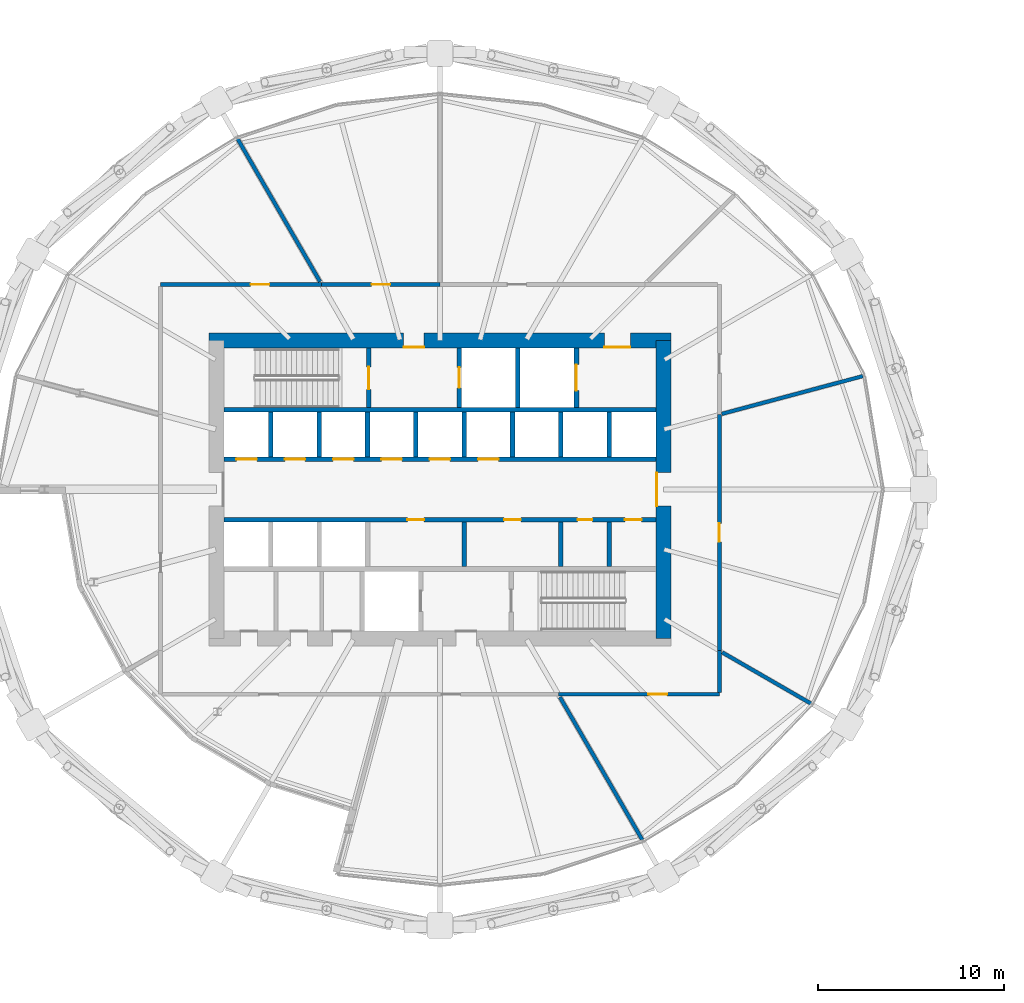
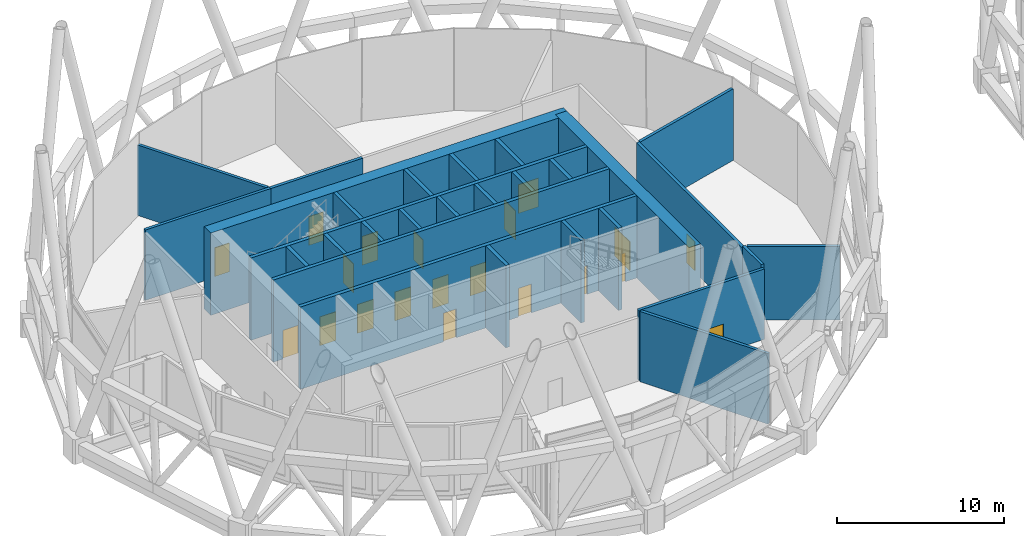
# One storey, part 27 of 33: 29 walls, 20 doors, 20 openings.
"""IFC4 building model written with IfcOpenShell, lengths in metres."""

from ifc_helpers import new_model, si_unit, direction, frame, frame_2d, origin, place, context, subcontext, project, spatial, rectangle, extrude, material, layer, layer_set, type_object, element, fill, save


model = new_model("IFC4")

# Units and contexts
model_context = context("Model", 3, precision=1e-05, world=origin(), true_north=direction((0.0, 1.0)))
body_context = subcontext(model_context, "Body", "Model", "MODEL_VIEW")
ifc_project = project(units=[si_unit("LENGTHUNIT", "METRE"), si_unit("AREAUNIT", "SQUARE_METRE"), si_unit("VOLUMEUNIT", "CUBIC_METRE"), si_unit("PLANEANGLEUNIT", "RADIAN"), si_unit("MASSUNIT", "GRAM", prefix="KILO")], contexts=[model_context])

# Site, building, storey
site_placement = place(None, origin())
site = spatial("IfcSite", under=ifc_project, at=site_placement, CompositionType="ELEMENT")
building_placement = place(site_placement, origin())
building = spatial("IfcBuilding", under=site, at=building_placement, Name="Rimbun Link Towers", CompositionType="ELEMENT")
storey_placement = place(building_placement, frame((0.0, 0.0, 75.60009765625)))
storey = spatial("IfcBuildingStorey", under=building, at=storey_placement, Name="L18", CompositionType="ELEMENT", Elevation=75.60009765625)

# Wall, openings, doors
ifc_material_1 = material(Name="Concrete C60/75", Category="concrete")
ifc_layer_1 = layer(ifc_material_1, 0.800048828125)
ifc_layer_set_1 = layer_set([ifc_layer_1], Name="Core shear wall 800")
wall_type_1 = type_object("IfcWallType", Name="Core shear wall 800", PredefinedType="SHEAR", material=ifc_layer_set_1)
wall_1_placement = place(storey_placement, frame((-44.14990234375, 8.0, 0.0), z_axis=(0.0, 0.0, 1.0), x_axis=(1.0, 0.0, 0.0)))
wall_1 = element("IfcWall", 1, at=wall_1_placement, inside=storey, type_object=wall_type_1, Name="L18 T1 core wall N", PredefinedType="SHEAR", context=body_context, shape_type="SweptSolid", body=[
    extrude(rectangle(XDim=24.7998046875, YDim=0.800048828125, at=frame_2d((12.39990234375, 0.0))), origin(), (0.0, 0.0, 1.0), 6.0),
])
opening_1_placement = place(wall_1_placement, frame((10.449951171875, 0.0, 0.0)))
opening_1 = element("IfcOpeningElement", 2, at=opening_1_placement, cuts=wall_1, Name="Opening C1DCF01N", PredefinedType="OPENING", context=body_context, shape_type="SweptSolid", body=[
    extrude(rectangle(XDim=1.10009765625, YDim=2.10009765625, at=frame_2d((0.550048828125, 1.050048828125))), frame((0.0, 0.409912109375, 0.0), z_axis=(0.0, -1.0, 0.0), x_axis=(1.0, 0.0, 0.0)), (0.0, 0.0, 1.0), 0.820068359375),
])
opening_2_placement = place(wall_1_placement, frame((21.22509765625, 0.0, 0.0)))
opening_2 = element("IfcOpeningElement", 3, at=opening_2_placement, cuts=wall_1, Name="Opening C1DSL02N", PredefinedType="OPENING", context=body_context, shape_type="SweptSolid", body=[
    extrude(rectangle(XDim=1.39990234375, YDim=2.10009765625, at=frame_2d((0.699951171875, 1.050048828125))), frame((0.0, 0.409912109375, 0.0), z_axis=(0.0, -1.0, 0.0), x_axis=(1.0, 0.0, 0.0)), (0.0, 0.0, 1.0), 0.820068359375),
])
ifc_material_2 = material(Name="Steel fire door set", Category="steel")
door_type_1 = type_object("IfcDoorType", Name="Core fire door single", OperationType="SINGLE_SWING_LEFT", PredefinedType="DOOR", material=ifc_material_2)
door_1_placement = place(opening_1_placement, origin())
door_1 = element("IfcDoor", 4, at=door_1_placement, inside=storey, type_object=door_type_1, Name="L18 T1 firefighting lobby n door", OperationType="SINGLE_SWING_LEFT", OverallHeight=2.10009765625, OverallWidth=1.10009765625, PredefinedType="DOOR", context=body_context, shape_type="SweptSolid", body=[
    extrude(rectangle(XDim=1.10009765625, YDim=2.10009765625, at=frame_2d((0.550048828125, 1.050048828125))), frame((0.0, -0.35009765625, 0.0), z_axis=(0.0, -1.0, 0.0), x_axis=(1.0, 0.0, 0.0)), (0.0, 0.0, 1.0), 0.050048828125),
])
fill(opening_1, door_1)
ifc_material_3 = material(Name="Steel fire door set", Category="steel")
door_type_2 = type_object("IfcDoorType", Name="Service lobby door double", OperationType="DOUBLE_DOOR_SINGLE_SWING", PredefinedType="DOOR", material=ifc_material_3)
door_2_placement = place(opening_2_placement, origin())
door_2 = element("IfcDoor", 5, at=door_2_placement, inside=storey, type_object=door_type_2, Name="L18 T1 service lobby door", OperationType="DOUBLE_DOOR_SINGLE_SWING", OverallHeight=2.10009765625, OverallWidth=1.39990234375, PredefinedType="DOOR", context=body_context, shape_type="SweptSolid", body=[
    extrude(rectangle(XDim=1.39990234375, YDim=2.10009765625, at=frame_2d((0.699951171875, 1.050048828125))), frame((0.0, -0.35009765625, 0.0), z_axis=(0.0, -1.0, 0.0), x_axis=(1.0, 0.0, 0.0)), (0.0, 0.0, 1.0), 0.050048828125),
])
fill(opening_2, door_2)

# Wall, opening, door
wall_2_placement = place(storey_placement, frame((-19.75, -8.0, 0.0), z_axis=(0.0, 0.0, 1.0), x_axis=(0.0, 1.0, 0.0)))
wall_2 = element("IfcWall", 6, at=wall_2_placement, inside=storey, type_object=wall_type_1, Name="L18 T1 core wall E", PredefinedType="SHEAR", context=body_context, shape_type="SweptSolid", body=[
    extrude(rectangle(XDim=16.0, YDim=0.800048828125, at=frame_2d((8.0, 0.0))), origin(), (0.0, 0.0, 1.0), 6.0),
])
opening_3_placement = place(wall_2_placement, frame((7.10009765625, 0.0, 0.0)))
opening_3 = element("IfcOpeningElement", 7, at=opening_3_placement, cuts=wall_2, Name="Opening C1DCL01E", PredefinedType="OPENING", context=body_context, shape_type="SweptSolid", body=[
    extrude(rectangle(XDim=1.800048828125, YDim=2.10009765625, at=frame_2d((0.89990234375, 1.050048828125))), frame((0.0, 0.409912109375, 0.0), z_axis=(0.0, -1.0, 0.0), x_axis=(1.0, 0.0, 0.0)), (0.0, 0.0, 1.0), 0.820068359375),
])
ifc_material_4 = material(Name="Steel fire door set", Category="steel")
door_type_3 = type_object("IfcDoorType", Name="Core lobby door double", OperationType="DOUBLE_DOOR_SINGLE_SWING", PredefinedType="DOOR", material=ifc_material_4)
door_3_placement = place(opening_3_placement, origin())
door_3 = element("IfcDoor", 8, at=door_3_placement, inside=storey, type_object=door_type_3, Name="L18 T1 lift lobby door", OperationType="DOUBLE_DOOR_SINGLE_SWING", OverallHeight=2.10009765625, OverallWidth=1.800048828125, PredefinedType="DOOR", context=body_context, shape_type="SweptSolid", body=[
    extrude(rectangle(XDim=1.800048828125, YDim=2.10009765625, at=frame_2d((0.89990234375, 1.050048828125))), frame((0.0, 0.39990234375, 0.0), z_axis=(0.0, -1.0, 0.0), x_axis=(1.0, 0.0, 0.0)), (0.0, 0.0, 1.0), 0.050048828125),
])
fill(opening_3, door_3)

ifc_material_5 = material(Name="Concrete blockwork", Category="masonry")
ifc_layer_2 = layer(ifc_material_5, 0.199951171875)
ifc_layer_set_2 = layer_set([ifc_layer_2], Name="Fire partition 200 blockwork")
wall_type_2 = type_object("IfcWallType", Name="Fire partition 200 blockwork", PredefinedType="PARTITIONING", material=ifc_layer_set_2)
wall_3_placement = place(storey_placement, frame((-25.399169921875, -11.0, 0.0), z_axis=(0.0, 0.0, 1.0), x_axis=(1.0, 0.0, 0.0)))
wall_3 = element("IfcWall", 9, at=wall_3_placement, inside=storey, type_object=wall_type_2, Name="TW/PW/L18/004", PredefinedType="PARTITIONING", context=body_context, shape_type="SweptSolid", body=[
    extrude(rectangle(XDim=8.649169921875, YDim=0.199951171875, at=frame_2d((4.32470703125, 0.0))), origin(), (0.0, 0.0, 1.0), 5.135986328125),
])
opening_4_placement = place(wall_3_placement, frame((4.8369140625, 0.0, 0.0)))
opening_4 = element("IfcOpeningElement", 10, at=opening_4_placement, cuts=wall_3, Name="Opening TW D18.03", PredefinedType="OPENING", context=body_context, shape_type="SweptSolid", body=[
    extrude(rectangle(XDim=1.0, YDim=2.10009765625, at=frame_2d((0.5, 1.050048828125))), frame((0.0, 0.10986328125, 0.0), z_axis=(0.0, -1.0, 0.0), x_axis=(1.0, 0.0, 0.0)), (0.0, 0.0, 1.0), 0.219970703125),
])
ifc_material_6 = material(Name="Steel fire door set", Category="steel")
door_type_4 = type_object("IfcDoorType", Name="Fire door single leaf 1000 x 2100", OperationType="NOTDEFINED", PredefinedType="DOOR", material=ifc_material_6)
door_4_placement = place(opening_4_placement, origin())
door_4 = element("IfcDoor", 11, at=door_4_placement, inside=storey, type_object=door_type_4, Name="TW/DR/L18/003", OperationType="SINGLE_SWING_RIGHT", OverallHeight=2.10009765625, OverallWidth=1.0, PredefinedType="DOOR", context=body_context, shape_type="SweptSolid", body=[
    extrude(rectangle(XDim=1.0, YDim=2.10009765625, at=frame_2d((0.5, 1.050048828125))), frame((0.0, 0.02490234375, 0.0), z_axis=(0.0, -1.0, 0.0), x_axis=(1.0, 0.0, 0.0)), (0.0, 0.0, 1.0), 0.050048828125),
])
fill(opening_4, door_4)

# Wall
wall_4_placement = place(storey_placement, frame((-16.75, -10.89990234375, 0.0), z_axis=(0.0, 0.0, 1.0), x_axis=(0.0, 1.0, 0.0)))
element("IfcWall", 12, at=wall_4_placement, inside=storey, type_object=wall_type_2, Name="TW/PW/L18/005", PredefinedType="PARTITIONING", context=body_context, shape_type="SweptSolid", body=[
    extrude(rectangle(XDim=2.239501953125, YDim=0.199951171875, at=frame_2d((1.11962890625, 0.0))), origin(), (0.0, 0.0, 1.0), 5.366943359375),
])

# Wall, opening, door
wall_5_placement = place(storey_placement, frame((-16.75, -8.660400390625, 0.0), z_axis=(0.0, 0.0, 1.0), x_axis=(0.0, 1.0, 0.0)))
wall_5 = element("IfcWall", 13, at=wall_5_placement, inside=storey, type_object=wall_type_2, Name="TW/PW/L18/006", PredefinedType="PARTITIONING", context=body_context, shape_type="SweptSolid", body=[
    extrude(rectangle(XDim=12.6796875, YDim=0.199951171875, at=frame_2d((6.33984375, 0.0))), origin(), (0.0, 0.0, 1.0), 5.216796875),
])
opening_5_placement = place(wall_5_placement, frame((5.840087890625, 0.0, 0.0)))
opening_5 = element("IfcOpeningElement", 14, at=opening_5_placement, cuts=wall_5, Name="Opening TW D18.04", PredefinedType="OPENING", context=body_context, shape_type="SweptSolid", body=[
    extrude(rectangle(XDim=1.0, YDim=2.10009765625, at=frame_2d((0.5, 1.050048828125))), frame((0.0, 0.10986328125, 0.0), z_axis=(0.0, -1.0, 0.0), x_axis=(1.0, 0.0, 0.0)), (0.0, 0.0, 1.0), 0.219970703125),
])
door_5_placement = place(opening_5_placement, origin())
door_5 = element("IfcDoor", 15, at=door_5_placement, inside=storey, type_object=door_type_4, Name="TW/DR/L18/004", OperationType="SINGLE_SWING_LEFT", OverallHeight=2.10009765625, OverallWidth=1.0, PredefinedType="DOOR", context=body_context, shape_type="SweptSolid", body=[
    extrude(rectangle(XDim=1.0, YDim=2.10009765625, at=frame_2d((0.5, 1.050048828125))), frame((0.0, 0.02490234375, 0.0), z_axis=(0.0, -1.0, 0.0), x_axis=(1.0, 0.0, 0.0)), (0.0, 0.0, 1.0), 0.050048828125),
])
fill(opening_5, door_5)

wall_6_placement = place(storey_placement, frame((-31.75, 11.0, 0.0), z_axis=(0.0, 0.0, 1.0), x_axis=(-1.0, 0.0, 0.0)))
wall_6 = element("IfcWall", 16, at=wall_6_placement, inside=storey, type_object=wall_type_2, Name="TW/PW/L18/010", PredefinedType="PARTITIONING", context=body_context, shape_type="SweptSolid", body=[
    extrude(rectangle(XDim=6.350830078125, YDim=0.199951171875, at=frame_2d((3.17529296875, 0.0))), origin(), (0.0, 0.0, 1.0), 5.135986328125),
])
opening_6_placement = place(wall_6_placement, frame((2.675048828125, 0.0, 0.0)))
opening_6 = element("IfcOpeningElement", 17, at=opening_6_placement, cuts=wall_6, Name="Opening TW D18.07", PredefinedType="OPENING", context=body_context, shape_type="SweptSolid", body=[
    extrude(rectangle(XDim=1.0, YDim=2.10009765625, at=frame_2d((0.5, 1.050048828125))), frame((0.0, 0.10986328125, 0.0), z_axis=(0.0, -1.0, 0.0), x_axis=(1.0, 0.0, 0.0)), (0.0, 0.0, 1.0), 0.219970703125),
])
door_6_placement = place(opening_6_placement, origin())
door_6 = element("IfcDoor", 18, at=door_6_placement, inside=storey, type_object=door_type_4, Name="TW/DR/L18/007", OperationType="SINGLE_SWING_RIGHT", OverallHeight=2.10009765625, OverallWidth=1.0, PredefinedType="DOOR", context=body_context, shape_type="SweptSolid", body=[
    extrude(rectangle(XDim=1.0, YDim=2.10009765625, at=frame_2d((0.5, 1.050048828125))), frame((0.0, 0.02490234375, 0.0), z_axis=(0.0, -1.0, 0.0), x_axis=(1.0, 0.0, 0.0)), (0.0, 0.0, 1.0), 0.050048828125),
])
fill(opening_6, door_6)

wall_7_placement = place(storey_placement, frame((-38.100830078125, 11.0, 0.0), z_axis=(0.0, 0.0, 1.0), x_axis=(-1.0, 0.0, 0.0)))
wall_7 = element("IfcWall", 19, at=wall_7_placement, inside=storey, type_object=wall_type_2, Name="TW/PW/L18/011", PredefinedType="PARTITIONING", context=body_context, shape_type="SweptSolid", body=[
    extrude(rectangle(XDim=8.649169921875, YDim=0.199951171875, at=frame_2d((4.32470703125, 0.0))), origin(), (0.0, 0.0, 1.0), 5.135986328125),
])
opening_7_placement = place(wall_7_placement, frame((2.81201171875, 0.0, 0.0)))
opening_7 = element("IfcOpeningElement", 20, at=opening_7_placement, cuts=wall_7, Name="Opening TW D18.08", PredefinedType="OPENING", context=body_context, shape_type="SweptSolid", body=[
    extrude(rectangle(XDim=1.0, YDim=2.10009765625, at=frame_2d((0.5, 1.050048828125))), frame((0.0, 0.10986328125, 0.0), z_axis=(0.0, -1.0, 0.0), x_axis=(1.0, 0.0, 0.0)), (0.0, 0.0, 1.0), 0.219970703125),
])
door_7_placement = place(opening_7_placement, origin())
door_7 = element("IfcDoor", 21, at=door_7_placement, inside=storey, type_object=door_type_4, Name="TW/DR/L18/008", OperationType="SINGLE_SWING_LEFT", OverallHeight=2.10009765625, OverallWidth=1.0, PredefinedType="DOOR", context=body_context, shape_type="SweptSolid", body=[
    extrude(rectangle(XDim=1.0, YDim=2.10009765625, at=frame_2d((0.5, 1.050048828125))), frame((0.0, 0.02490234375, 0.0), z_axis=(0.0, -1.0, 0.0), x_axis=(1.0, 0.0, 0.0)), (0.0, 0.0, 1.0), 0.050048828125),
])
fill(opening_7, door_7)

# Walls
wall_8_placement = place(storey_placement, frame((-20.88818359375, -18.8134765625, 0.0), z_axis=(0.0, 0.0, 1.0), x_axis=(-0.49997879138, 0.866037648241, 0.0)))
element("IfcWall", 22, at=wall_8_placement, inside=storey, type_object=wall_type_2, Name="TW/PW/L18/016", PredefinedType="PARTITIONING", context=body_context, shape_type="SweptSolid", body=[
    extrude(rectangle(XDim=8.84912109375, YDim=0.199951171875, at=frame_2d((4.424560546875, 0.0))), origin(), (0.0, 0.0, 1.0), 5.135986328125),
])
wall_9_placement = place(storey_placement, frame((-11.77392578125, -11.533203125, 0.0), z_axis=(0.0, 0.0, 1.0), x_axis=(-0.866026544289, 0.499998024584, 0.0)))
element("IfcWall", 23, at=wall_9_placement, inside=storey, type_object=wall_type_2, Name="TW/PW/L18/017", PredefinedType="PARTITIONING", context=body_context, shape_type="SweptSolid", body=[
    extrude(rectangle(XDim=5.57275390625, YDim=0.199951171875, at=frame_2d((2.786376953125, 0.0))), origin(), (0.0, 0.0, 1.0), 5.366943359375),
])
wall_10_placement = place(storey_placement, frame((-9.04443359375, 6.083984375, 0.0), z_axis=(0.0, 0.0, 1.0), x_axis=(-0.965923886607, -0.258826283988, 0.0)))
element("IfcWall", 24, at=wall_10_placement, inside=storey, type_object=wall_type_2, Name="TW/PW/L18/018", PredefinedType="PARTITIONING", context=body_context, shape_type="SweptSolid", body=[
    extrude(rectangle(XDim=7.846923828125, YDim=0.199951171875, at=frame_2d((3.92333984375, 0.0))), origin(), (0.0, 0.0, 1.0), 5.216796875),
])
wall_11_placement = place(storey_placement, frame((-42.65185546875, 18.8828125, 0.0), z_axis=(0.0, 0.0, 1.0), x_axis=(0.499979648516, -0.866037153401, 0.0)))
element("IfcWall", 25, at=wall_11_placement, inside=storey, type_object=wall_type_2, Name="TW/PW/L18/021", PredefinedType="PARTITIONING", context=body_context, shape_type="SweptSolid", body=[
    extrude(rectangle(XDim=8.928955078125, YDim=0.199951171875, at=frame_2d((4.46435546875, 0.0))), origin(), (0.0, 0.0, 1.0), 5.135986328125),
])
ifc_material_7 = material(Name="Concrete C60/75", Category="concrete")
ifc_layer_3 = layer(ifc_material_7, 0.25)
ifc_layer_set_3 = layer_set([ifc_layer_3], Name="Shaft wall 250")
wall_type_3 = type_object("IfcWallType", Name="Shaft wall 250", PredefinedType="SHEAR", material=ifc_layer_set_3)
wall_12_placement = place(storey_placement, frame((-43.35009765625, 4.27490234375, 0.0), z_axis=(0.0, 0.0, 1.0), x_axis=(1.0, 0.0, 0.0)))
element("IfcWall", 26, at=wall_12_placement, inside=storey, type_object=wall_type_3, Name="L18 T1 core wall BN", PredefinedType="SHEAR", context=body_context, shape_type="SweptSolid", body=[
    extrude(rectangle(XDim=23.2001953125, YDim=0.25, at=frame_2d((11.60009765625, 0.0))), origin(), (0.0, 0.0, 1.0), 6.0),
])

# Wall, openings, doors
wall_13_placement = place(storey_placement, frame((-43.35009765625, 1.625, 0.0), z_axis=(0.0, 0.0, 1.0), x_axis=(1.0, 0.0, 0.0)))
wall_13 = element("IfcWall", 27, at=wall_13_placement, inside=storey, type_object=wall_type_3, Name="L18 T1 core wall FN", PredefinedType="SHEAR", context=body_context, shape_type="SweptSolid", body=[
    extrude(rectangle(XDim=23.2001953125, YDim=0.25, at=frame_2d((11.60009765625, 0.0))), origin(), (0.0, 0.0, 1.0), 6.0),
])
opening_8_placement = place(wall_13_placement, frame((0.672119140625, 0.0, 0.0)))
opening_8 = element("IfcOpeningElement", 28, at=opening_8_placement, cuts=wall_13, Name="Opening LD-T1-LR1", PredefinedType="OPENING", context=body_context, shape_type="SweptSolid", body=[
    extrude(rectangle(XDim=1.10009765625, YDim=2.10009765625, at=frame_2d((0.550048828125, 1.050048828125))), frame((0.0, 0.135009765625, 0.0), z_axis=(0.0, -1.0, 0.0), x_axis=(1.0, 0.0, 0.0)), (0.0, 0.0, 1.0), 0.27001953125),
])
opening_9_placement = place(wall_13_placement, frame((3.2666015625, 0.0, 0.0)))
opening_9 = element("IfcOpeningElement", 29, at=opening_9_placement, cuts=wall_13, Name="Opening LD-T1-LR2", PredefinedType="OPENING", context=body_context, shape_type="SweptSolid", body=[
    extrude(rectangle(XDim=1.10009765625, YDim=2.10009765625, at=frame_2d((0.550048828125, 1.050048828125))), frame((0.0, 0.135009765625, 0.0), z_axis=(0.0, -1.0, 0.0), x_axis=(1.0, 0.0, 0.0)), (0.0, 0.0, 1.0), 0.27001953125),
])
opening_10_placement = place(wall_13_placement, frame((5.861083984375, 0.0, 0.0)))
opening_10 = element("IfcOpeningElement", 30, at=opening_10_placement, cuts=wall_13, Name="Opening LD-T1-LR3", PredefinedType="OPENING", context=body_context, shape_type="SweptSolid", body=[
    extrude(rectangle(XDim=1.10009765625, YDim=2.10009765625, at=frame_2d((0.550048828125, 1.050048828125))), frame((0.0, 0.135009765625, 0.0), z_axis=(0.0, -1.0, 0.0), x_axis=(1.0, 0.0, 0.0)), (0.0, 0.0, 1.0), 0.27001953125),
])
opening_11_placement = place(wall_13_placement, frame((8.45556640625, 0.0, 0.0)))
opening_11 = element("IfcOpeningElement", 31, at=opening_11_placement, cuts=wall_13, Name="Opening LD-T1-LR4", PredefinedType="OPENING", context=body_context, shape_type="SweptSolid", body=[
    extrude(rectangle(XDim=1.10009765625, YDim=2.10009765625, at=frame_2d((0.550048828125, 1.050048828125))), frame((0.0, 0.135009765625, 0.0), z_axis=(0.0, -1.0, 0.0), x_axis=(1.0, 0.0, 0.0)), (0.0, 0.0, 1.0), 0.27001953125),
])
opening_12_placement = place(wall_13_placement, frame((11.050048828125, 0.0, 0.0)))
opening_12 = element("IfcOpeningElement", 32, at=opening_12_placement, cuts=wall_13, Name="Opening LD-T1-LR5", PredefinedType="OPENING", context=body_context, shape_type="SweptSolid", body=[
    extrude(rectangle(XDim=1.10009765625, YDim=2.10009765625, at=frame_2d((0.550048828125, 1.050048828125))), frame((0.0, 0.135009765625, 0.0), z_axis=(0.0, -1.0, 0.0), x_axis=(1.0, 0.0, 0.0)), (0.0, 0.0, 1.0), 0.27001953125),
])
opening_13_placement = place(wall_13_placement, frame((13.644287109375, 0.0, 0.0)))
opening_13 = element("IfcOpeningElement", 33, at=opening_13_placement, cuts=wall_13, Name="Opening LD-T1-LR6", PredefinedType="OPENING", context=body_context, shape_type="SweptSolid", body=[
    extrude(rectangle(XDim=1.10009765625, YDim=2.10009765625, at=frame_2d((0.550048828125, 1.050048828125))), frame((0.0, 0.135009765625, 0.0), z_axis=(0.0, -1.0, 0.0), x_axis=(1.0, 0.0, 0.0)), (0.0, 0.0, 1.0), 0.27001953125),
])
ifc_material_8 = material(Name="Stainless steel grade 316", Category="steel")
door_type_5 = type_object("IfcDoorType", Name="Lift landing door", OperationType="DOUBLE_DOOR_SLIDING", PredefinedType="DOOR", material=ifc_material_8)
door_8_placement = place(opening_8_placement, origin())
door_8 = element("IfcDoor", 34, at=door_8_placement, inside=storey, type_object=door_type_5, Name="L18 T1 lift LR1 landing door", OperationType="DOUBLE_DOOR_SLIDING", OverallHeight=2.10009765625, OverallWidth=1.10009765625, PredefinedType="DOOR", context=body_context, shape_type="SweptSolid", body=[
    extrude(rectangle(XDim=1.10009765625, YDim=2.10009765625, at=frame_2d((0.550048828125, 1.050048828125))), frame((0.0, 0.02490234375, 0.0), z_axis=(0.0, -1.0, 0.0), x_axis=(1.0, 0.0, 0.0)), (0.0, 0.0, 1.0), 0.050048828125),
])
fill(opening_8, door_8)
door_9_placement = place(opening_9_placement, origin())
door_9 = element("IfcDoor", 35, at=door_9_placement, inside=storey, type_object=door_type_5, Name="L18 T1 lift LR2 landing door", OperationType="DOUBLE_DOOR_SLIDING", OverallHeight=2.10009765625, OverallWidth=1.10009765625, PredefinedType="DOOR", context=body_context, shape_type="SweptSolid", body=[
    extrude(rectangle(XDim=1.10009765625, YDim=2.10009765625, at=frame_2d((0.550048828125, 1.050048828125))), frame((0.0, 0.02490234375, 0.0), z_axis=(0.0, -1.0, 0.0), x_axis=(1.0, 0.0, 0.0)), (0.0, 0.0, 1.0), 0.050048828125),
])
fill(opening_9, door_9)
door_10_placement = place(opening_10_placement, origin())
door_10 = element("IfcDoor", 36, at=door_10_placement, inside=storey, type_object=door_type_5, Name="L18 T1 lift LR3 landing door", OperationType="DOUBLE_DOOR_SLIDING", OverallHeight=2.10009765625, OverallWidth=1.10009765625, PredefinedType="DOOR", context=body_context, shape_type="SweptSolid", body=[
    extrude(rectangle(XDim=1.10009765625, YDim=2.10009765625, at=frame_2d((0.550048828125, 1.050048828125))), frame((0.0, 0.02490234375, 0.0), z_axis=(0.0, -1.0, 0.0), x_axis=(1.0, 0.0, 0.0)), (0.0, 0.0, 1.0), 0.050048828125),
])
fill(opening_10, door_10)
door_11_placement = place(opening_11_placement, origin())
door_11 = element("IfcDoor", 37, at=door_11_placement, inside=storey, type_object=door_type_5, Name="L18 T1 lift LR4 landing door", OperationType="DOUBLE_DOOR_SLIDING", OverallHeight=2.10009765625, OverallWidth=1.10009765625, PredefinedType="DOOR", context=body_context, shape_type="SweptSolid", body=[
    extrude(rectangle(XDim=1.10009765625, YDim=2.10009765625, at=frame_2d((0.550048828125, 1.050048828125))), frame((0.0, 0.02490234375, 0.0), z_axis=(0.0, -1.0, 0.0), x_axis=(1.0, 0.0, 0.0)), (0.0, 0.0, 1.0), 0.050048828125),
])
fill(opening_11, door_11)
door_12_placement = place(opening_12_placement, origin())
door_12 = element("IfcDoor", 38, at=door_12_placement, inside=storey, type_object=door_type_5, Name="L18 T1 lift LR5 landing door", OperationType="DOUBLE_DOOR_SLIDING", OverallHeight=2.10009765625, OverallWidth=1.10009765625, PredefinedType="DOOR", context=body_context, shape_type="SweptSolid", body=[
    extrude(rectangle(XDim=1.10009765625, YDim=2.10009765625, at=frame_2d((0.550048828125, 1.050048828125))), frame((0.0, 0.02490234375, 0.0), z_axis=(0.0, -1.0, 0.0), x_axis=(1.0, 0.0, 0.0)), (0.0, 0.0, 1.0), 0.050048828125),
])
fill(opening_12, door_12)
door_13_placement = place(opening_13_placement, origin())
door_13 = element("IfcDoor", 39, at=door_13_placement, inside=storey, type_object=door_type_5, Name="L18 T1 lift LR6 landing door", OperationType="DOUBLE_DOOR_SLIDING", OverallHeight=2.10009765625, OverallWidth=1.10009765625, PredefinedType="DOOR", context=body_context, shape_type="SweptSolid", body=[
    extrude(rectangle(XDim=1.10009765625, YDim=2.10009765625, at=frame_2d((0.550048828125, 1.050048828125))), frame((0.0, 0.02490234375, 0.0), z_axis=(0.0, -1.0, 0.0), x_axis=(1.0, 0.0, 0.0)), (0.0, 0.0, 1.0), 0.050048828125),
])
fill(opening_13, door_13)

wall_14_placement = place(storey_placement, frame((-43.35009765625, -1.625, 0.0), z_axis=(0.0, 0.0, 1.0), x_axis=(1.0, 0.0, 0.0)))
wall_14 = element("IfcWall", 40, at=wall_14_placement, inside=storey, type_object=wall_type_3, Name="L18 T1 core wall FS", PredefinedType="SHEAR", context=body_context, shape_type="SweptSolid", body=[
    extrude(rectangle(XDim=23.2001953125, YDim=0.25, at=frame_2d((11.60009765625, 0.0))), origin(), (0.0, 0.0, 1.0), 6.0),
])
opening_14_placement = place(wall_14_placement, frame((9.852783203125, 0.0, 0.0)))
opening_14 = element("IfcOpeningElement", 41, at=opening_14_placement, cuts=wall_14, Name="Opening C1DRS01FS", PredefinedType="OPENING", context=body_context, shape_type="SweptSolid", body=[
    extrude(rectangle(XDim=0.89990234375, YDim=2.10009765625, at=frame_2d((0.449951171875, 1.050048828125))), frame((0.0, 0.135009765625, 0.0), z_axis=(0.0, -1.0, 0.0), x_axis=(1.0, 0.0, 0.0)), (0.0, 0.0, 1.0), 0.27001953125),
])
opening_15_placement = place(wall_14_placement, frame((15.041748046875, 0.0, 0.0)))
opening_15 = element("IfcOpeningElement", 42, at=opening_15_placement, cuts=wall_14, Name="Opening C1DRS02FS", PredefinedType="OPENING", context=body_context, shape_type="SweptSolid", body=[
    extrude(rectangle(XDim=0.89990234375, YDim=2.10009765625, at=frame_2d((0.449951171875, 1.050048828125))), frame((0.0, 0.135009765625, 0.0), z_axis=(0.0, -1.0, 0.0), x_axis=(1.0, 0.0, 0.0)), (0.0, 0.0, 1.0), 0.27001953125),
])
opening_16_placement = place(wall_14_placement, frame((18.9833984375, 0.0, 0.0)))
opening_16 = element("IfcOpeningElement", 43, at=opening_16_placement, cuts=wall_14, Name="Opening C1DRA03FS", PredefinedType="OPENING", context=body_context, shape_type="SweptSolid", body=[
    extrude(rectangle(XDim=0.800048828125, YDim=2.10009765625, at=frame_2d((0.39990234375, 1.050048828125))), frame((0.0, 0.135009765625, 0.0), z_axis=(0.0, -1.0, 0.0), x_axis=(1.0, 0.0, 0.0)), (0.0, 0.0, 1.0), 0.27001953125),
])
opening_17_placement = place(wall_14_placement, frame((21.52783203125, 0.0, 0.0)))
opening_17 = element("IfcOpeningElement", 44, at=opening_17_placement, cuts=wall_14, Name="Opening C1DRS04FS", PredefinedType="OPENING", context=body_context, shape_type="SweptSolid", body=[
    extrude(rectangle(XDim=0.89990234375, YDim=2.10009765625, at=frame_2d((0.449951171875, 1.050048828125))), frame((0.0, 0.135009765625, 0.0), z_axis=(0.0, -1.0, 0.0), x_axis=(1.0, 0.0, 0.0)), (0.0, 0.0, 1.0), 0.27001953125),
])
ifc_material_9 = material(Name="Steel fire door set", Category="steel")
door_type_6 = type_object("IfcDoorType", Name="Core riser door", OperationType="SINGLE_SWING_LEFT", PredefinedType="DOOR", material=ifc_material_9)
door_14_placement = place(opening_14_placement, origin())
door_14 = element("IfcDoor", 45, at=door_14_placement, inside=storey, type_object=door_type_6, Name="L18 T1 archive store door", OperationType="SINGLE_SWING_LEFT", OverallHeight=2.10009765625, OverallWidth=0.89990234375, PredefinedType="DOOR", context=body_context, shape_type="SweptSolid", body=[
    extrude(rectangle(XDim=0.89990234375, YDim=2.10009765625, at=frame_2d((0.449951171875, 1.050048828125))), frame((0.0, 0.02490234375, 0.0), z_axis=(0.0, -1.0, 0.0), x_axis=(1.0, 0.0, 0.0)), (0.0, 0.0, 1.0), 0.050048828125),
])
fill(opening_14, door_14)
door_15_placement = place(opening_15_placement, origin())
door_15 = element("IfcDoor", 46, at=door_15_placement, inside=storey, type_object=door_type_6, Name="L18 T1 pantry door", OperationType="SINGLE_SWING_LEFT", OverallHeight=2.10009765625, OverallWidth=0.89990234375, PredefinedType="DOOR", context=body_context, shape_type="SweptSolid", body=[
    extrude(rectangle(XDim=0.89990234375, YDim=2.10009765625, at=frame_2d((0.449951171875, 1.050048828125))), frame((0.0, 0.02490234375, 0.0), z_axis=(0.0, -1.0, 0.0), x_axis=(1.0, 0.0, 0.0)), (0.0, 0.0, 1.0), 0.050048828125),
])
fill(opening_15, door_15)
door_16_placement = place(opening_17_placement, origin())
door_16 = element("IfcDoor", 47, at=door_16_placement, inside=storey, type_object=door_type_6, Name="L18 T1 staff store door", OperationType="SINGLE_SWING_RIGHT", OverallHeight=2.10009765625, OverallWidth=0.89990234375, PredefinedType="DOOR", context=body_context, shape_type="SweptSolid", body=[
    extrude(rectangle(XDim=0.89990234375, YDim=2.10009765625, at=frame_2d((0.449951171875, 1.050048828125))), frame((0.0, 0.02490234375, 0.0), z_axis=(0.0, -1.0, 0.0), x_axis=(1.0, 0.0, 0.0)), (0.0, 0.0, 1.0), 0.050048828125),
])
fill(opening_17, door_16)
ifc_material_10 = material(Name="Steel fire door set", Category="steel")
door_type_7 = type_object("IfcDoorType", Name="Riser access door 800 x 2100", OperationType="SINGLE_SWING_LEFT", PredefinedType="DOOR", material=ifc_material_10)
door_17_placement = place(opening_16_placement, origin())
door_17 = element("IfcDoor", 48, at=door_17_placement, inside=storey, type_object=door_type_7, Name="L18 T1 riser cupboard door", OperationType="SINGLE_SWING_LEFT", OverallHeight=2.10009765625, OverallWidth=0.800048828125, PredefinedType="DOOR", context=body_context, shape_type="SweptSolid", body=[
    extrude(rectangle(XDim=0.800048828125, YDim=2.10009765625, at=frame_2d((0.39990234375, 1.050048828125))), frame((0.0, 0.02490234375, 0.0), z_axis=(0.0, -1.0, 0.0), x_axis=(1.0, 0.0, 0.0)), (0.0, 0.0, 1.0), 0.050048828125),
])
fill(opening_16, door_17)

# Walls
for number, where, z_axis, x_axis, name in (
    (49, (-40.83056640625, 1.75, 0.0), (0.0, 0.0, 1.0), (0.0, 1.0, 0.0), "L18 T1 core wall DN0"),
    (50, (-38.236083984375, 1.75, 0.0), (0.0, 0.0, 1.0), (0.0, 1.0, 0.0), "L18 T1 core wall DN1"),
    (51, (-35.6416015625, 1.75, 0.0), (0.0, 0.0, 1.0), (0.0, 1.0, 0.0), "L18 T1 core wall DN2"),
    (52, (-33.047119140625, 1.75, 0.0), (0.0, 0.0, 1.0), (0.0, 1.0, 0.0), "L18 T1 core wall DN3"),
    (53, (-30.452880859375, 1.75, 0.0), (0.0, 0.0, 1.0), (0.0, 1.0, 0.0), "L18 T1 core wall DN4"),
    (54, (-27.8583984375, 1.75, 0.0), (0.0, 0.0, 1.0), (0.0, 1.0, 0.0), "L18 T1 core wall DN5"),
    (55, (-25.263916015625, 1.75, 0.0), (0.0, 0.0, 1.0), (0.0, 1.0, 0.0), "L18 T1 core wall DN6"),
    (56, (-22.66943359375, 1.75, 0.0), (0.0, 0.0, 1.0), (0.0, 1.0, 0.0), "L18 T1 core wall DN7"),
    (57, (-30.452880859375, -4.14990234375, 0.0), (0.0, 0.0, 1.0), (0.0, 1.0, 0.0), "L18 T1 core wall DS4"),
    (58, (-25.263916015625, -4.14990234375, 0.0), (0.0, 0.0, 1.0), (0.0, 1.0, 0.0), "L18 T1 core wall DS6"),
    (59, (-22.66943359375, -4.14990234375, 0.0), (0.0, 0.0, 1.0), (0.0, 1.0, 0.0), "L18 T1 core wall DS7"),
):
    element("IfcWall", number, at=place(storey_placement, frame(where, z_axis=z_axis, x_axis=x_axis)), inside=storey, type_object=wall_type_3, Name=name, PredefinedType="SHEAR", context=body_context, shape_type="SweptSolid", body=[
        extrude(rectangle(XDim=2.39990234375, YDim=0.25, at=frame_2d((1.199951171875, 0.0))), origin(), (0.0, 0.0, 1.0), 6.0),
    ])

# Wall, opening, door
wall_15_placement = place(storey_placement, frame((-35.574951171875, 4.39990234375, 0.0), z_axis=(0.0, 0.0, 1.0), x_axis=(0.0, 1.0, 0.0)))
wall_15 = element("IfcWall", 60, at=wall_15_placement, inside=storey, type_object=wall_type_3, Name="L18 T1 core wall A1", PredefinedType="SHEAR", context=body_context, shape_type="SweptSolid", body=[
    extrude(rectangle(XDim=3.2001953125, YDim=0.25, at=frame_2d((1.60009765625, 0.0))), origin(), (0.0, 0.0, 1.0), 6.0),
])
opening_18_placement = place(wall_15_placement, frame((0.97509765625, 0.0, 0.0)))
opening_18 = element("IfcOpeningElement", 61, at=opening_18_placement, cuts=wall_15, Name="Opening C1DST01A1", PredefinedType="OPENING", context=body_context, shape_type="SweptSolid", body=[
    extrude(rectangle(XDim=1.199951171875, YDim=2.10009765625, at=frame_2d((0.60009765625, 1.050048828125))), frame((0.0, 0.135009765625, 0.0), z_axis=(0.0, -1.0, 0.0), x_axis=(1.0, 0.0, 0.0)), (0.0, 0.0, 1.0), 0.27001953125),
])
ifc_material_11 = material(Name="Steel fire door set", Category="steel")
door_type_8 = type_object("IfcDoorType", Name="Stair door", OperationType="SINGLE_SWING_LEFT", PredefinedType="DOOR", material=ifc_material_11)
door_18_placement = place(opening_18_placement, origin())
door_18 = element("IfcDoor", 62, at=door_18_placement, inside=storey, type_object=door_type_8, Name="L18 T1 stair a door", OperationType="SINGLE_SWING_RIGHT", OverallHeight=2.10009765625, OverallWidth=1.199951171875, PredefinedType="DOOR", context=body_context, shape_type="SweptSolid", body=[
    extrude(rectangle(XDim=1.199951171875, YDim=2.10009765625, at=frame_2d((0.60009765625, 1.050048828125))), frame((0.0, 0.02490234375, 0.0), z_axis=(0.0, -1.0, 0.0), x_axis=(1.0, 0.0, 0.0)), (0.0, 0.0, 1.0), 0.050048828125),
])
fill(opening_18, door_18)

wall_16_placement = place(storey_placement, frame((-30.72509765625, 4.39990234375, 0.0), z_axis=(0.0, 0.0, 1.0), x_axis=(0.0, 1.0, 0.0)))
wall_16 = element("IfcWall", 63, at=wall_16_placement, inside=storey, type_object=wall_type_3, Name="L18 T1 core wall A2", PredefinedType="SHEAR", context=body_context, shape_type="SweptSolid", body=[
    extrude(rectangle(XDim=3.2001953125, YDim=0.25, at=frame_2d((1.60009765625, 0.0))), origin(), (0.0, 0.0, 1.0), 6.0),
])
opening_19_placement = place(wall_16_placement, frame((1.050048828125, 0.0, 0.0)))
opening_19 = element("IfcOpeningElement", 64, at=opening_19_placement, cuts=wall_16, Name="Opening LD-T1-FF1", PredefinedType="OPENING", context=body_context, shape_type="SweptSolid", body=[
    extrude(rectangle(XDim=1.10009765625, YDim=2.10009765625, at=frame_2d((0.550048828125, 1.050048828125))), frame((0.0, 0.135009765625, 0.0), z_axis=(0.0, -1.0, 0.0), x_axis=(1.0, 0.0, 0.0)), (0.0, 0.0, 1.0), 0.27001953125),
])
door_19_placement = place(opening_19_placement, origin())
door_19 = element("IfcDoor", 65, at=door_19_placement, inside=storey, type_object=door_type_5, Name="L18 T1 lift FF1 landing door", OperationType="DOUBLE_DOOR_SLIDING", OverallHeight=2.10009765625, OverallWidth=1.10009765625, PredefinedType="DOOR", context=body_context, shape_type="SweptSolid", body=[
    extrude(rectangle(XDim=1.10009765625, YDim=2.10009765625, at=frame_2d((0.550048828125, 1.050048828125))), frame((0.0, 0.02490234375, 0.0), z_axis=(0.0, -1.0, 0.0), x_axis=(1.0, 0.0, 0.0)), (0.0, 0.0, 1.0), 0.050048828125),
])
fill(opening_19, door_19)

# Wall
wall_17_placement = place(storey_placement, frame((-27.574951171875, 4.39990234375, 0.0), z_axis=(0.0, 0.0, 1.0), x_axis=(0.0, 1.0, 0.0)))
element("IfcWall", 66, at=wall_17_placement, inside=storey, type_object=wall_type_3, Name="L18 T1 core wall A3", PredefinedType="SHEAR", context=body_context, shape_type="SweptSolid", body=[
    extrude(rectangle(XDim=3.2001953125, YDim=0.25, at=frame_2d((1.60009765625, 0.0))), origin(), (0.0, 0.0, 1.0), 6.0),
])

# Wall, opening, door
wall_18_placement = place(storey_placement, frame((-24.425048828125, 4.39990234375, 0.0), z_axis=(0.0, 0.0, 1.0), x_axis=(0.0, 1.0, 0.0)))
wall_18 = element("IfcWall", 67, at=wall_18_placement, inside=storey, type_object=wall_type_3, Name="L18 T1 core wall A4", PredefinedType="SHEAR", context=body_context, shape_type="SweptSolid", body=[
    extrude(rectangle(XDim=3.2001953125, YDim=0.25, at=frame_2d((1.60009765625, 0.0))), origin(), (0.0, 0.0, 1.0), 6.0),
])
opening_20_placement = place(wall_18_placement, frame((0.89990234375, 0.0, 0.0)))
opening_20 = element("IfcOpeningElement", 68, at=opening_20_placement, cuts=wall_18, Name="Opening LD-T1-GL1", PredefinedType="OPENING", context=body_context, shape_type="SweptSolid", body=[
    extrude(rectangle(XDim=1.39990234375, YDim=2.10009765625, at=frame_2d((0.699951171875, 1.050048828125))), frame((0.0, 0.135009765625, 0.0), z_axis=(0.0, -1.0, 0.0), x_axis=(1.0, 0.0, 0.0)), (0.0, 0.0, 1.0), 0.27001953125),
])
ifc_material_12 = material(Name="Stainless steel grade 316", Category="steel")
door_type_9 = type_object("IfcDoorType", Name="Goods lift landing door", OperationType="DOUBLE_DOOR_SLIDING", PredefinedType="DOOR", material=ifc_material_12)
door_20_placement = place(opening_20_placement, origin())
door_20 = element("IfcDoor", 69, at=door_20_placement, inside=storey, type_object=door_type_9, Name="L18 T1 lift GL1 landing door", OperationType="DOUBLE_DOOR_SLIDING", OverallHeight=2.10009765625, OverallWidth=1.39990234375, PredefinedType="DOOR", context=body_context, shape_type="SweptSolid", body=[
    extrude(rectangle(XDim=1.39990234375, YDim=2.10009765625, at=frame_2d((0.699951171875, 1.050048828125))), frame((0.0, 0.02490234375, 0.0), z_axis=(0.0, -1.0, 0.0), x_axis=(1.0, 0.0, 0.0)), (0.0, 0.0, 1.0), 0.050048828125),
])
fill(opening_20, door_20)

save(model, "model.ifc")
